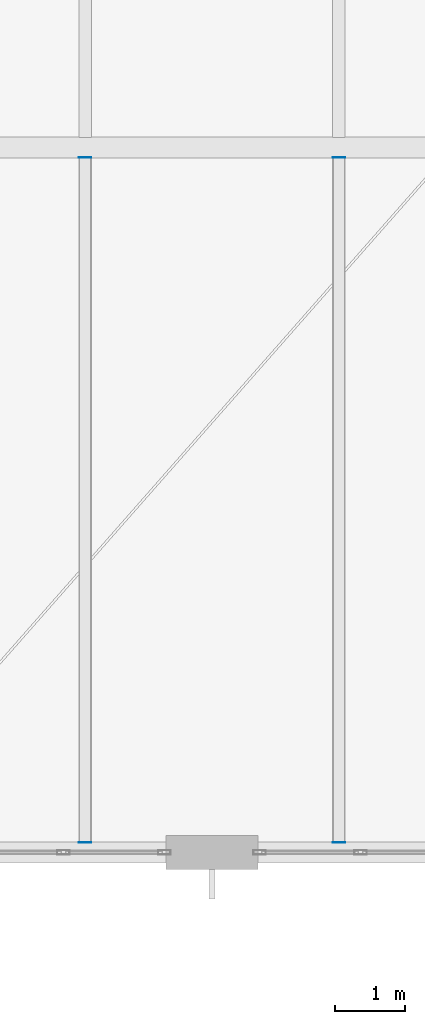
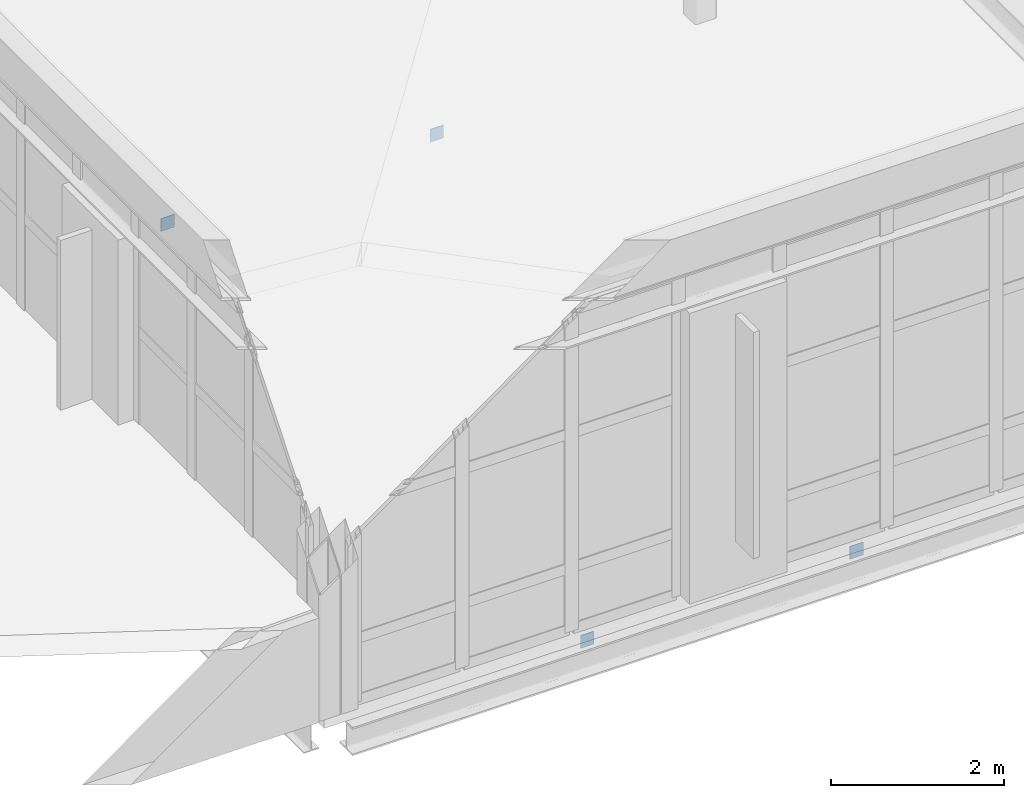
# One storey, part 66 of 86: 4 plates.
"""IFC4 building model written with IfcOpenShell, lengths in metres."""

from ifc_helpers import new_model, si_unit, direction, frame, origin, origin_2d, place, context, subcontext, project, spatial, rectangle, extrude, material, layer, layer_set, type_object, element, save


model = new_model("IFC4")

# Units and contexts
model_context = context("Model", 3, precision=1e-05, world=origin(), true_north=direction((0.0, 1.0)))
body_context = subcontext(model_context, "Body", "Model", "MODEL_VIEW")
ifc_project = project(units=[si_unit("LENGTHUNIT", "METRE"), si_unit("AREAUNIT", "SQUARE_METRE"), si_unit("VOLUMEUNIT", "CUBIC_METRE"), si_unit("PLANEANGLEUNIT", "RADIAN"), si_unit("MASSUNIT", "GRAM", prefix="KILO")], contexts=[model_context])

# Site, building, storey
site_placement = place(None, origin())
site = spatial("IfcSite", under=ifc_project, at=site_placement, CompositionType="ELEMENT")
building_placement = place(site_placement, origin())
building = spatial("IfcBuilding", under=site, at=building_placement, Name="Tasgan Crest Museum", CompositionType="ELEMENT")
storey_placement = place(building_placement, frame((0.0, 0.0, 24.0)))
storey = spatial("IfcBuildingStorey", under=building, at=storey_placement, Name="L04", CompositionType="ELEMENT", Elevation=24.0)

# Plates
ifc_material = material(Name="Steel S355K2", Category="steel")
ifc_layer = layer(ifc_material, 0.179931640625, Name="PL-CAP-10x180x180")
ifc_layer_set = layer_set([ifc_layer], Name="Steel S355K2")
plate_type = type_object("IfcPlateType", Name="PL-CAP-10x180x180", PredefinedType="USERDEFINED", material=ifc_layer_set)
for number, where, z_axis, x_axis, name in (
    (1, (57.60009765625, 40.139892578125, -0.419921875), (0.0, 0.0, 1.0), (0.0, 1.0, 0.0), "End plate Secondary joist L04 X=57.6 Y=40.0-50.0 end A"),
    (2, (57.60009765625, 49.860107421875, -0.419921875), (0.0, 0.0, 1.0), (0.0, 1.0, 0.0), "End plate Secondary joist L04 X=57.6 Y=40.0-50.0 end B"),
    (3, (61.199951171875, 40.139892578125, -0.419921875), (0.0, 0.0, 1.0), (0.0, 1.0, 0.0), "End plate Secondary joist L04 X=61.2 Y=40.0-50.0 end A"),
    (4, (61.199951171875, 49.860107421875, -0.419921875), (0.0, 0.0, 1.0), (0.0, 1.0, 0.0), "End plate Secondary joist L04 X=61.2 Y=40.0-50.0 end B"),
):
    element("IfcPlate", number, at=place(storey_placement, frame(where, z_axis=z_axis, x_axis=x_axis)), inside=storey, type_object=plate_type, Name=name, ObjectType="END PLATE", PredefinedType="USERDEFINED", context=body_context, shape_type="SweptSolid", body=[
        extrude(rectangle(XDim=0.010009765625, YDim=0.179931640625, at=origin_2d()), origin(), (0.0, 0.0, 1.0), 0.179931640625),
    ])

save(model, "model.ifc")
